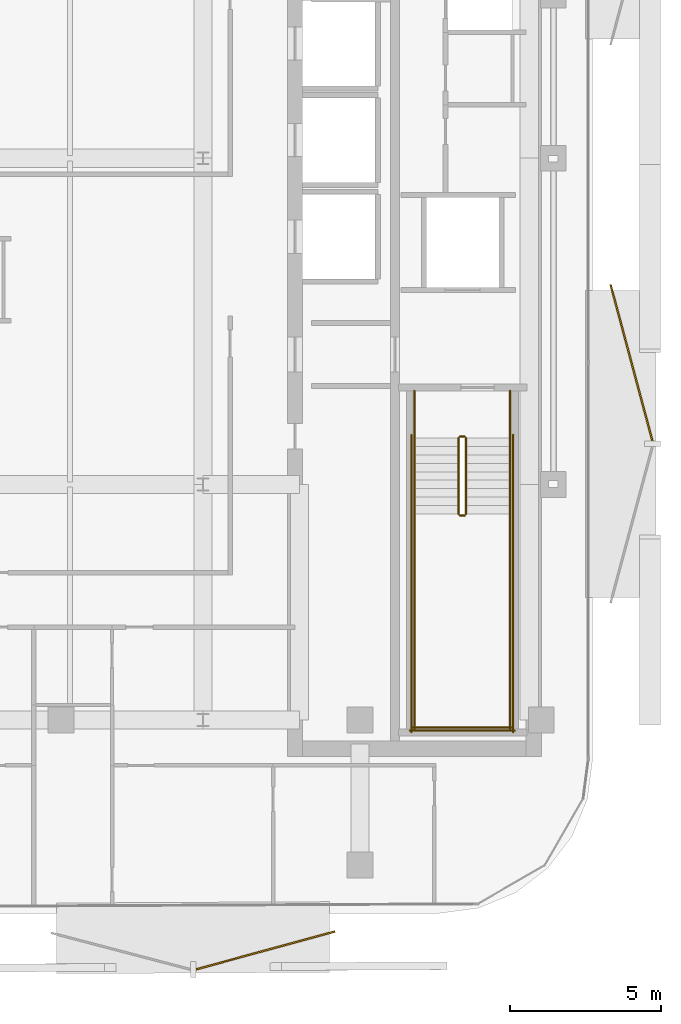
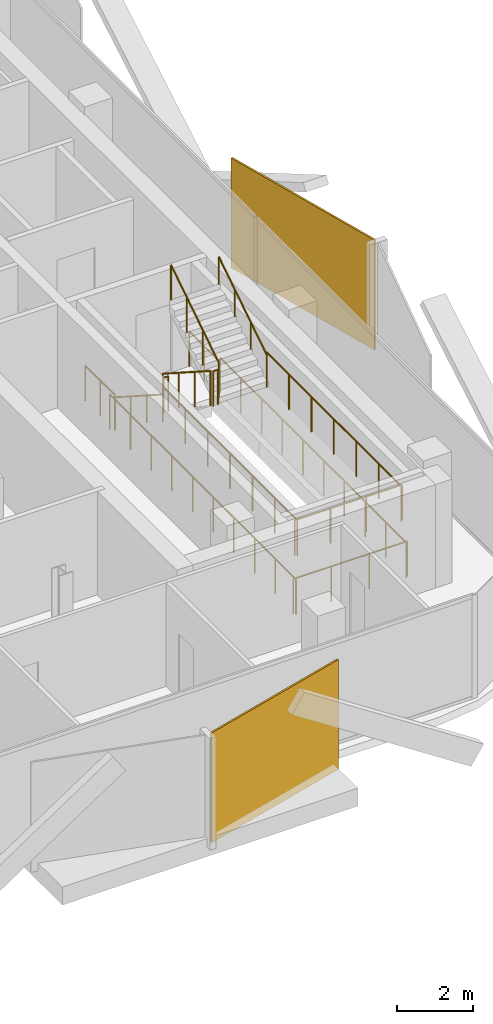
# One storey, part 14 of 15: 14 railings, 2 coverings.
"""IFC4 building model written with IfcOpenShell, lengths in metres."""

from ifc_helpers import new_model, si_unit, direction, frame, origin, origin_2d, place, context, subcontext, project, spatial, rectangle, circle, extrude, material, layer, layer_set, type_object, element, save


model = new_model("IFC4")

# Units and contexts
model_context = context("Model", 3, precision=1e-05, world=origin(), true_north=direction((0.0, 1.0)))
body_context = subcontext(model_context, "Body", "Model", "MODEL_VIEW")
ifc_project = project(units=[si_unit("LENGTHUNIT", "METRE"), si_unit("AREAUNIT", "SQUARE_METRE"), si_unit("VOLUMEUNIT", "CUBIC_METRE"), si_unit("PLANEANGLEUNIT", "RADIAN"), si_unit("MASSUNIT", "GRAM", prefix="KILO")], contexts=[model_context])

# Site, building, storey
site_placement = place(None, origin())
site = spatial("IfcSite", under=ifc_project, at=site_placement, CompositionType="ELEMENT")
building_placement = place(site_placement, origin())
building = spatial("IfcBuilding", under=site, at=building_placement, Name="Khairoan Windgate Tower", CompositionType="ELEMENT")
storey_placement = place(building_placement, frame((0.0, 0.0, 244.0)))
storey = spatial("IfcBuildingStorey", under=building, at=storey_placement, Name="L57", CompositionType="ELEMENT", Elevation=244.0)

# Coverings
ifc_material_1 = material(Name="Anodised Bronze Aluminium 6063-T6", Category="aluminium")
ifc_layer = layer(ifc_material_1, 0.054931640625, Name="Anodised Bronze Aluminium 6063-T6")
ifc_layer_set = layer_set([ifc_layer], Name="Anodised Bronze Aluminium 6063-T6")
covering_type = type_object("IfcCoveringType", Name="Perforated Bronze-Ceramic Folded Solar Screen Cladding BSC-1", PredefinedType="CLADDING", material=ifc_layer_set)
covering_1_placement = place(storey_placement, frame((11.264404296875, -26.226806640625, -0.10009765625), z_axis=(0.0, 0.0, 1.0), x_axis=(-0.964649468762, -0.263536339841, 0.0)))
element("IfcCovering", 1, at=covering_1_placement, inside=storey, type_object=covering_type, Name="L57 Folded Bronze Solar Screen Facet 385L", PredefinedType="CLADDING", context=body_context, shape_type="SweptSolid", body=[
    extrude(rectangle(XDim=4.76708984375, YDim=0.054931640625, at=origin_2d()), origin(), (0.0, 0.0, 1.0), 3.5400390625),
])
covering_2_placement = place(storey_placement, frame((23.38671875, -6.77490234375, -0.10009765625), z_axis=(0.0, 0.0, 1.0), x_axis=(0.258819045103, -0.965925826289, 0.0)))
element("IfcCovering", 2, at=covering_2_placement, inside=storey, type_object=covering_type, Name="L57 Folded Bronze Solar Screen Facet 392L", PredefinedType="CLADDING", context=body_context, shape_type="SweptSolid", body=[
    extrude(rectangle(XDim=5.35791015625, YDim=0.054931640625, at=origin_2d()), origin(), (0.0, 0.0, 1.0), 3.5400390625),
])

# Railings
ifc_material_2 = material(Name="Anodised Bronze Aluminium 6063-T6", Category="aluminium")
railing_type_1 = type_object("IfcRailingType", Name="Stair Wall Handrail SHR-900", PredefinedType="HANDRAIL", material=ifc_material_2)
railing_1_placement = place(storey_placement, frame((16.199951171875, -9.260009765625, 0.179931640625)))
element("IfcRailing", 3, at=railing_1_placement, inside=storey, type_object=railing_type_1, Name="L57 ST1 stair handrail 1", PredefinedType="HANDRAIL", context=body_context, shape_type="SweptSolid", body=[
    extrude(circle(Radius=0.02392578125, at=origin_2d()), frame((0.0, 0.0, 0.8759765625), z_axis=(0.0, -0.841162588446, 0.540782303519), x_axis=(1.0, 0.0, 0.0)), (0.0, 0.0, 1.0), 2.995849609375),
    extrude(circle(Radius=0.02099609375, at=origin_2d()), origin(), (0.0, 0.0, 1.0), 0.851806640625),
    extrude(circle(Radius=0.02099609375, at=origin_2d()), frame((0.0, -0.840087890625, 0.5400390625)), (0.0, 0.0, 1.0), 0.851806640625),
    extrude(circle(Radius=0.02099609375, at=origin_2d()), frame((0.0, -1.679931640625, 1.080078125)), (0.0, 0.0, 1.0), 0.851806640625),
    extrude(circle(Radius=0.02099609375, at=origin_2d()), frame((0.0, -2.52001953125, 1.6201171875)), (0.0, 0.0, 1.0), 0.851806640625),
])
railing_2_placement = place(storey_placement, frame((19.3701171875, -11.780029296875, 1.97998046875)))
element("IfcRailing", 4, at=railing_2_placement, inside=storey, type_object=railing_type_1, Name="L57 ST1 stair handrail 2", PredefinedType="HANDRAIL", context=body_context, shape_type="SweptSolid", body=[
    extrude(circle(Radius=0.02392578125, at=origin_2d()), frame((0.0, 0.0, 0.8759765625), z_axis=(0.0, 0.841162588446, 0.540782303519), x_axis=(-1.0, 0.0, 0.0)), (0.0, 0.0, 1.0), 2.995849609375),
    extrude(circle(Radius=0.02099609375, at=origin_2d()), origin(), (0.0, 0.0, 1.0), 0.851806640625),
    extrude(circle(Radius=0.02099609375, at=origin_2d()), frame((0.0, 0.840087890625, 0.5400390625)), (0.0, 0.0, 1.0), 0.851806640625),
    extrude(circle(Radius=0.02099609375, at=origin_2d()), frame((0.0, 1.679931640625, 1.080078125)), (0.0, 0.0, 1.0), 0.851806640625),
    extrude(circle(Radius=0.02099609375, at=origin_2d()), frame((0.0, 2.52001953125, 1.6201171875)), (0.0, 0.0, 1.0), 0.851806640625),
])
ifc_material_3 = material(Name="Steel S355", Category="steel")
railing_type_2 = type_object("IfcRailingType", Name="Stairwell Safety Guardrail SGR-1150", PredefinedType="GUARDRAIL", material=ifc_material_3)
railing_3_placement = place(storey_placement, frame((17.659912109375, -9.260009765625, 0.179931640625)))
element("IfcRailing", 5, at=railing_3_placement, inside=storey, type_object=railing_type_2, Name="L57 ST1 stair guard 1", PredefinedType="GUARDRAIL", context=body_context, shape_type="SweptSolid", body=[
    extrude(circle(Radius=0.02392578125, at=origin_2d()), frame((0.0, 0.0, 1.1259765625), z_axis=(0.0, -0.841162588446, 0.540782303519), x_axis=(1.0, 0.0, 0.0)), (0.0, 0.0, 1.0), 2.995849609375),
    extrude(circle(Radius=0.02099609375, at=origin_2d()), origin(), (0.0, 0.0, 1.0), 1.101806640625),
    extrude(circle(Radius=0.02099609375, at=origin_2d()), frame((0.0, -0.840087890625, 0.5400390625)), (0.0, 0.0, 1.0), 1.101806640625),
    extrude(circle(Radius=0.02099609375, at=origin_2d()), frame((0.0, -1.679931640625, 1.080078125)), (0.0, 0.0, 1.0), 1.101806640625),
    extrude(circle(Radius=0.02099609375, at=origin_2d()), frame((0.0, -2.52001953125, 1.6201171875)), (0.0, 0.0, 1.0), 1.101806640625),
])
railing_4_placement = place(storey_placement, frame((17.7099609375, -11.830078125, 1.800048828125)))
element("IfcRailing", 6, at=railing_4_placement, inside=storey, type_object=railing_type_2, Name="L57 ST1 stair guard 2", PredefinedType="GUARDRAIL", context=body_context, shape_type="SweptSolid", body=[
    extrude(circle(Radius=0.02392578125, at=origin_2d()), frame((0.0, 0.0, 1.1259765625), z_axis=(1.0, 0.0, 0.0), x_axis=(0.0, 1.0, 0.0)), (0.0, 0.0, 1.0), 0.150146484375),
    extrude(circle(Radius=0.02099609375, at=origin_2d()), origin(), (0.0, 0.0, 1.0), 1.101806640625),
    extrude(circle(Radius=0.02099609375, at=origin_2d()), frame((0.150146484375, 0.0, 0.0)), (0.0, 0.0, 1.0), 1.101806640625),
])
for number, where, name in (
    (7, (16.199951171875, -11.780029296875, 1.800048828125), "L57 ST1 stair guard 3"),
    (8, (19.3701171875, -11.780029296875, 1.800048828125), "L57 ST1 stair guard 4"),
):
    element("IfcRailing", number, at=place(storey_placement, frame(where)), inside=storey, type_object=railing_type_2, Name=name, PredefinedType="GUARDRAIL", context=body_context, shape_type="SweptSolid", body=[
        extrude(circle(Radius=0.02392578125, at=origin_2d()), frame((0.0, 0.0, 1.1259765625), z_axis=(0.0, -1.0, 0.0), x_axis=(1.0, 0.0, 0.0)), (0.0, 0.0, 1.0), 7.119873046875),
        extrude(circle(Radius=0.02099609375, at=origin_2d()), origin(), (0.0, 0.0, 1.0), 1.101806640625),
        extrude(circle(Radius=0.02099609375, at=origin_2d()), frame((0.0, -1.1865234375, 0.0)), (0.0, 0.0, 1.0), 1.101806640625),
        extrude(circle(Radius=0.02099609375, at=origin_2d()), frame((0.0, -2.373291015625, 0.0)), (0.0, 0.0, 1.0), 1.101806640625),
        extrude(circle(Radius=0.02099609375, at=origin_2d()), frame((0.0, -3.56005859375, 0.0)), (0.0, 0.0, 1.0), 1.101806640625),
        extrude(circle(Radius=0.02099609375, at=origin_2d()), frame((0.0, -4.74658203125, 0.0)), (0.0, 0.0, 1.0), 1.101806640625),
        extrude(circle(Radius=0.02099609375, at=origin_2d()), frame((0.0, -5.93310546875, 0.0)), (0.0, 0.0, 1.0), 1.101806640625),
        extrude(circle(Radius=0.02099609375, at=origin_2d()), frame((0.0, -7.119873046875, 0.0)), (0.0, 0.0, 1.0), 1.101806640625),
    ])
railing_5_placement = place(storey_placement, frame((16.14990234375, -18.85009765625, 1.800048828125)))
element("IfcRailing", 9, at=railing_5_placement, inside=storey, type_object=railing_type_2, Name="L57 ST1 stair guard 5", PredefinedType="GUARDRAIL", context=body_context, shape_type="SweptSolid", body=[
    extrude(circle(Radius=0.02392578125, at=origin_2d()), frame((0.0, 0.0, 1.1259765625), z_axis=(1.0, 0.0, 0.0), x_axis=(0.0, 1.0, 0.0)), (0.0, 0.0, 1.0), 3.27001953125),
    extrude(circle(Radius=0.02099609375, at=origin_2d()), origin(), (0.0, 0.0, 1.0), 1.101806640625),
    extrude(circle(Radius=0.02099609375, at=origin_2d()), frame((1.090087890625, 0.0, 0.0)), (0.0, 0.0, 1.0), 1.101806640625),
    extrude(circle(Radius=0.02099609375, at=origin_2d()), frame((2.179931640625, 0.0, 0.0)), (0.0, 0.0, 1.0), 1.101806640625),
    extrude(circle(Radius=0.02099609375, at=origin_2d()), frame((3.27001953125, 0.0, 0.0)), (0.0, 0.0, 1.0), 1.101806640625),
])
railing_6_placement = place(storey_placement, frame((17.909912109375, -11.780029296875, 1.97998046875)))
element("IfcRailing", 10, at=railing_6_placement, inside=storey, type_object=railing_type_2, Name="L57 ST1 stair guard 6", PredefinedType="GUARDRAIL", context=body_context, shape_type="SweptSolid", body=[
    extrude(circle(Radius=0.02392578125, at=origin_2d()), frame((0.0, 0.0, 1.1259765625), z_axis=(0.0, 0.841162588446, 0.540782303519), x_axis=(-1.0, 0.0, 0.0)), (0.0, 0.0, 1.0), 2.995849609375),
    extrude(circle(Radius=0.02099609375, at=origin_2d()), origin(), (0.0, 0.0, 1.0), 1.101806640625),
    extrude(circle(Radius=0.02099609375, at=origin_2d()), frame((0.0, 0.840087890625, 0.5400390625)), (0.0, 0.0, 1.0), 1.101806640625),
    extrude(circle(Radius=0.02099609375, at=origin_2d()), frame((0.0, 1.679931640625, 1.080078125)), (0.0, 0.0, 1.0), 1.101806640625),
    extrude(circle(Radius=0.02099609375, at=origin_2d()), frame((0.0, 2.52001953125, 1.6201171875)), (0.0, 0.0, 1.0), 1.101806640625),
])
railing_7_placement = place(storey_placement, frame((17.7099609375, -9.2099609375, 0.0)))
element("IfcRailing", 11, at=railing_7_placement, inside=storey, type_object=railing_type_2, Name="L57 ST1 stair guard 7", PredefinedType="GUARDRAIL", context=body_context, shape_type="SweptSolid", body=[
    extrude(circle(Radius=0.02392578125, at=origin_2d()), frame((0.0, 0.0, 1.1259765625), z_axis=(1.0, 0.0, 0.0), x_axis=(0.0, 1.0, 0.0)), (0.0, 0.0, 1.0), 0.150146484375),
    extrude(circle(Radius=0.02099609375, at=origin_2d()), origin(), (0.0, 0.0, 1.0), 1.101806640625),
    extrude(circle(Radius=0.02099609375, at=origin_2d()), frame((0.150146484375, 0.0, 0.0)), (0.0, 0.0, 1.0), 1.101806640625),
])
for number, where, name in (
    (12, (16.199951171875, -7.699951171875, 0.0), "L57 ST1 stair guard 8"),
    (13, (19.3701171875, -7.699951171875, 0.0), "L57 ST1 stair guard 9"),
):
    element("IfcRailing", number, at=place(storey_placement, frame(where)), inside=storey, type_object=railing_type_2, Name=name, PredefinedType="GUARDRAIL", context=body_context, shape_type="SweptSolid", body=[
        extrude(circle(Radius=0.02392578125, at=origin_2d()), frame((0.0, 0.0, 1.1259765625), z_axis=(0.0, -1.0, 0.0), x_axis=(1.0, 0.0, 0.0)), (0.0, 0.0, 1.0), 1.56005859375),
        extrude(circle(Radius=0.02099609375, at=origin_2d()), origin(), (0.0, 0.0, 1.0), 1.101806640625),
        extrude(circle(Radius=0.02099609375, at=origin_2d()), frame((0.0, -0.780029296875, 0.0)), (0.0, 0.0, 1.0), 1.101806640625),
        extrude(circle(Radius=0.02099609375, at=origin_2d()), frame((0.0, -1.56005859375, 0.0)), (0.0, 0.0, 1.0), 1.101806640625),
    ])
for number, where, name in (
    (14, (16.10009765625, -9.159912109375, 0.0), "L57 ST1 stair guard 10"),
    (15, (19.469970703125, -9.159912109375, 0.0), "L57 ST1 stair guard 11"),
):
    element("IfcRailing", number, at=place(storey_placement, frame(where)), inside=storey, type_object=railing_type_2, Name=name, PredefinedType="GUARDRAIL", context=body_context, shape_type="SweptSolid", body=[
        extrude(circle(Radius=0.02392578125, at=origin_2d()), frame((0.0, 0.0, 1.1259765625), z_axis=(0.0, -1.0, 0.0), x_axis=(1.0, 0.0, 0.0)), (0.0, 0.0, 1.0), 9.840087890625),
        extrude(circle(Radius=0.02099609375, at=origin_2d()), origin(), (0.0, 0.0, 1.0), 1.101806640625),
        extrude(circle(Radius=0.02099609375, at=origin_2d()), frame((0.0, -1.09326171875, 0.0)), (0.0, 0.0, 1.0), 1.101806640625),
        extrude(circle(Radius=0.02099609375, at=origin_2d()), frame((0.0, -2.186767578125, 0.0)), (0.0, 0.0, 1.0), 1.101806640625),
        extrude(circle(Radius=0.02099609375, at=origin_2d()), frame((0.0, -3.280029296875, 0.0)), (0.0, 0.0, 1.0), 1.101806640625),
        extrude(circle(Radius=0.02099609375, at=origin_2d()), frame((0.0, -4.373291015625, 0.0)), (0.0, 0.0, 1.0), 1.101806640625),
        extrude(circle(Radius=0.02099609375, at=origin_2d()), frame((0.0, -5.466796875, 0.0)), (0.0, 0.0, 1.0), 1.101806640625),
        extrude(circle(Radius=0.02099609375, at=origin_2d()), frame((0.0, -6.56005859375, 0.0)), (0.0, 0.0, 1.0), 1.101806640625),
        extrude(circle(Radius=0.02099609375, at=origin_2d()), frame((0.0, -7.6533203125, 0.0)), (0.0, 0.0, 1.0), 1.101806640625),
        extrude(circle(Radius=0.02099609375, at=origin_2d()), frame((0.0, -8.746826171875, 0.0)), (0.0, 0.0, 1.0), 1.101806640625),
        extrude(circle(Radius=0.02099609375, at=origin_2d()), frame((0.0, -9.840087890625, 0.0)), (0.0, 0.0, 1.0), 1.101806640625),
    ])
railing_8_placement = place(storey_placement, frame((16.050048828125, -18.949951171875, 0.0)))
element("IfcRailing", 16, at=railing_8_placement, inside=storey, type_object=railing_type_2, Name="L57 ST1 stair guard 12", PredefinedType="GUARDRAIL", context=body_context, shape_type="SweptSolid", body=[
    extrude(circle(Radius=0.02392578125, at=origin_2d()), frame((0.0, 0.0, 1.1259765625), z_axis=(1.0, 0.0, 0.0), x_axis=(0.0, 1.0, 0.0)), (0.0, 0.0, 1.0), 3.469970703125),
    extrude(circle(Radius=0.02099609375, at=origin_2d()), origin(), (0.0, 0.0, 1.0), 1.101806640625),
    extrude(circle(Radius=0.02099609375, at=origin_2d()), frame((1.15673828125, 0.0, 0.0)), (0.0, 0.0, 1.0), 1.101806640625),
    extrude(circle(Radius=0.02099609375, at=origin_2d()), frame((2.313232421875, 0.0, 0.0)), (0.0, 0.0, 1.0), 1.101806640625),
    extrude(circle(Radius=0.02099609375, at=origin_2d()), frame((3.469970703125, 0.0, 0.0)), (0.0, 0.0, 1.0), 1.101806640625),
])

save(model, "model.ifc")
